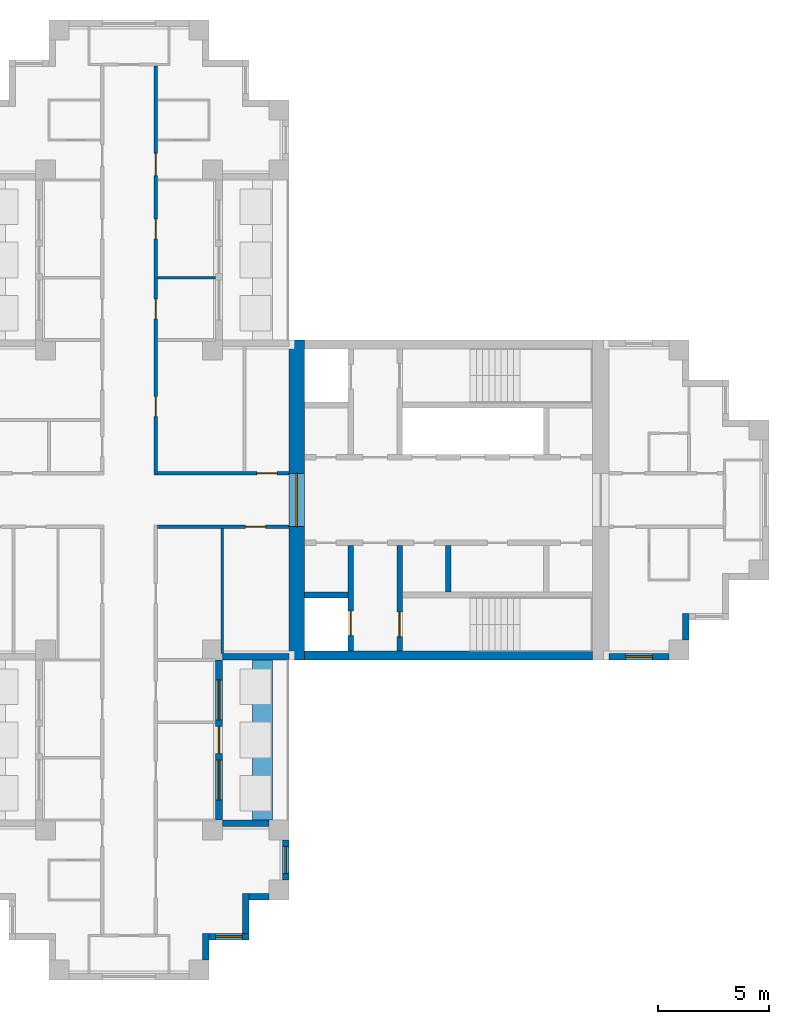
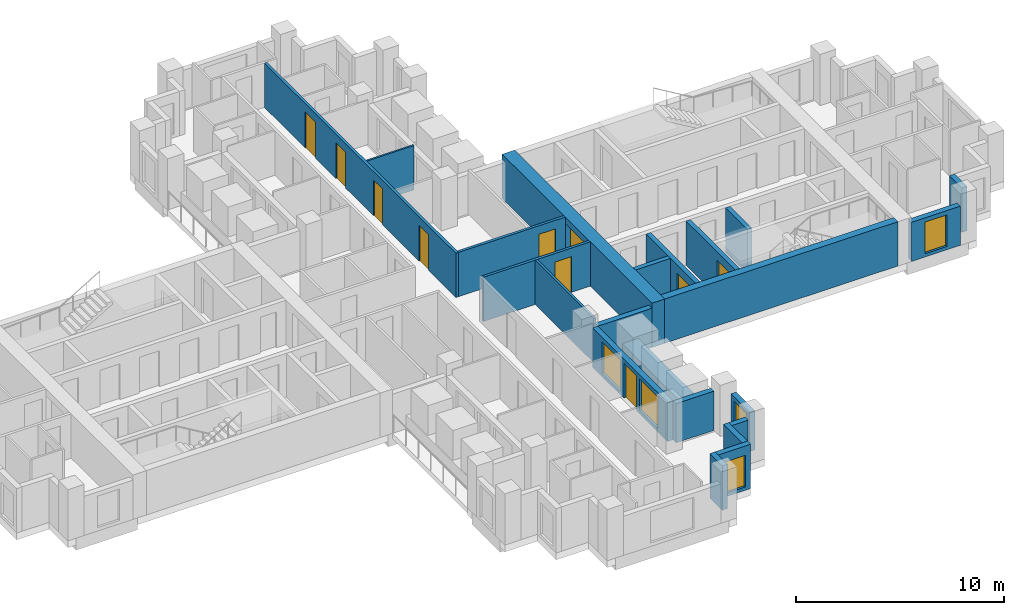
# One storey, part 5 of 10: 22 walls, 10 doors, 5 windows, 15 openings.
"""IFC4 building model written with IfcOpenShell, lengths in metres."""

from ifc_helpers import new_model, si_unit, direction, frame, frame_2d, origin, place, context, subcontext, project, spatial, rectangle, extrude, material, layer, layer_set, type_object, element, fill, save


model = new_model("IFC4")

# Units and contexts
model_context = context("Model", 3, precision=1e-05, world=origin(), true_north=direction((0.0, 1.0)))
body_context = subcontext(model_context, "Body", "Model", "MODEL_VIEW")
ifc_project = project(units=[si_unit("LENGTHUNIT", "METRE"), si_unit("AREAUNIT", "SQUARE_METRE"), si_unit("VOLUMEUNIT", "CUBIC_METRE"), si_unit("PLANEANGLEUNIT", "RADIAN"), si_unit("MASSUNIT", "GRAM", prefix="KILO")], contexts=[model_context])

# Site, building, storey
site_placement = place(None, origin())
site = spatial("IfcSite", under=ifc_project, at=site_placement, CompositionType="ELEMENT")
building_placement = place(site_placement, origin())
building = spatial("IfcBuilding", under=site, at=building_placement, Name="Fustian Cross Tower", CompositionType="ELEMENT")
storey_placement = place(building_placement, frame((0.0, 0.0, 231.89990234375)))
storey = spatial("IfcBuildingStorey", under=building, at=storey_placement, Name="L73", CompositionType="ELEMENT", Elevation=231.89990234375)

# Wall, opening, door
ifc_material_1 = material(Name="Plasterboard on steel stud", Category="steel")
ifc_layer_1 = layer(ifc_material_1, 0.14990234375)
ifc_layer_set_1 = layer_set([ifc_layer_1], Name="Plasterboard on steel stud")
wall_type_1 = type_object("IfcWallType", Name="COMPARTMENT WALL 150 EI 60", PredefinedType="PARTITIONING", material=ifc_layer_set_1)
wall_1_placement = place(storey_placement, frame((1.27490234375, -1.199951171875, 0.0), z_axis=(0.0, 0.0, 1.0), x_axis=(1.0, 0.0, 0.0)))
wall_1 = element("IfcWall", 1, at=wall_1_placement, inside=storey, type_object=wall_type_1, Name="Partition 47", PredefinedType="PARTITIONING", context=body_context, shape_type="SweptSolid", body=[
    extrude(rectangle(XDim=5.925048828125, YDim=0.14990234375, at=frame_2d((2.96240234375, 0.0))), origin(), (0.0, 0.0, 1.0), 2.60009765625),
])
opening_1_placement = place(wall_1_placement, frame((3.97509765625, 0.0, 0.0)))
opening_1 = element("IfcOpeningElement", 2, at=opening_1_placement, cuts=wall_1, Name="Opening D33007", PredefinedType="OPENING", context=body_context, shape_type="SweptSolid", body=[
    extrude(rectangle(XDim=0.89990234375, YDim=2.10009765625, at=frame_2d((0.449951171875, 1.050048828125))), frame((0.0, 0.0849609375, 0.0), z_axis=(0.0, -1.0, 0.0), x_axis=(1.0, 0.0, 0.0)), (0.0, 0.0, 1.0), 0.169921875),
])
ifc_material_2 = material(Name="Timber fire door set", Category="wood")
door_type_1 = type_object("IfcDoorType", Name="FIRE SWING DOOR 900 FD30S", OperationType="SINGLE_SWING_LEFT", PredefinedType="DOOR", material=ifc_material_2)
door_1_placement = place(opening_1_placement, frame((0.89990234375, 0.0, 0.0), z_axis=(0.0, 0.0, 1.0), x_axis=(-1.0, 0.0, 0.0)))
door_1 = element("IfcDoor", 3, at=door_1_placement, inside=storey, type_object=door_type_1, Name="Door D33007", OperationType="SINGLE_SWING_LEFT", OverallHeight=2.10009765625, OverallWidth=0.89990234375, PredefinedType="DOOR", context=body_context, shape_type="SweptSolid", body=[
    extrude(rectangle(XDim=0.89990234375, YDim=2.10009765625, at=frame_2d((0.449951171875, 1.050048828125))), frame((0.0, 0.02490234375, 0.0), z_axis=(0.0, -1.0, 0.0), x_axis=(1.0, 0.0, 0.0)), (0.0, 0.0, 1.0), 0.050048828125),
])
fill(opening_1, door_1)

# Wall, openings, doors
wall_2_placement = place(storey_placement, frame((1.199951171875, 1.125, 0.0), z_axis=(0.0, 0.0, 1.0), x_axis=(0.0, 1.0, 0.0)))
wall_2 = element("IfcWall", 4, at=wall_2_placement, inside=storey, type_object=wall_type_1, Name="Partition 48", PredefinedType="PARTITIONING", context=body_context, shape_type="SweptSolid", body=[
    extrude(rectangle(XDim=18.39990234375, YDim=0.14990234375, at=frame_2d((9.199951171875, 0.0))), origin(), (0.0, 0.0, 1.0), 2.60009765625),
])
opening_2_placement = place(wall_2_placement, frame((2.625, 0.0, 0.0)))
opening_2 = element("IfcOpeningElement", 5, at=opening_2_placement, cuts=wall_2, Name="Opening D33001", PredefinedType="OPENING", context=body_context, shape_type="SweptSolid", body=[
    extrude(rectangle(XDim=0.89990234375, YDim=2.10009765625, at=frame_2d((0.449951171875, 1.050048828125))), frame((0.0, 0.0849609375, 0.0), z_axis=(0.0, -1.0, 0.0), x_axis=(1.0, 0.0, 0.0)), (0.0, 0.0, 1.0), 0.169921875),
])
opening_3_placement = place(wall_2_placement, frame((7.02490234375, 0.0, 0.0)))
opening_3 = element("IfcOpeningElement", 6, at=opening_3_placement, cuts=wall_2, Name="Opening D33022", PredefinedType="OPENING", context=body_context, shape_type="SweptSolid", body=[
    extrude(rectangle(XDim=0.89990234375, YDim=2.10009765625, at=frame_2d((0.449951171875, 1.050048828125))), frame((0.0, 0.0849609375, 0.0), z_axis=(0.0, -1.0, 0.0), x_axis=(1.0, 0.0, 0.0)), (0.0, 0.0, 1.0), 0.169921875),
])
opening_4_placement = place(wall_2_placement, frame((10.625, 0.0, 0.0)))
opening_4 = element("IfcOpeningElement", 7, at=opening_4_placement, cuts=wall_2, Name="Opening D33023", PredefinedType="OPENING", context=body_context, shape_type="SweptSolid", body=[
    extrude(rectangle(XDim=0.89990234375, YDim=2.10009765625, at=frame_2d((0.449951171875, 1.050048828125))), frame((0.0, 0.0849609375, 0.0), z_axis=(0.0, -1.0, 0.0), x_axis=(1.0, 0.0, 0.0)), (0.0, 0.0, 1.0), 0.169921875),
])
opening_5_placement = place(wall_2_placement, frame((13.47509765625, 0.0, 0.0)))
opening_5 = element("IfcOpeningElement", 8, at=opening_5_placement, cuts=wall_2, Name="Opening D33025", PredefinedType="OPENING", context=body_context, shape_type="SweptSolid", body=[
    extrude(rectangle(XDim=1.0, YDim=2.10009765625, at=frame_2d((0.5, 1.050048828125))), frame((0.0, 0.0849609375, 0.0), z_axis=(0.0, -1.0, 0.0), x_axis=(1.0, 0.0, 0.0)), (0.0, 0.0, 1.0), 0.169921875),
])
ifc_material_3 = material(Name="Timber fire door set", Category="wood")
door_type_2 = type_object("IfcDoorType", Name="FIRE SWING DOOR 1000 FD30S", OperationType="SINGLE_SWING_LEFT", PredefinedType="DOOR", material=ifc_material_3)
door_2_placement = place(opening_5_placement, frame((1.0, 0.0, 0.0), z_axis=(0.0, 0.0, 1.0), x_axis=(-1.0, 0.0, 0.0)))
door_2 = element("IfcDoor", 9, at=door_2_placement, inside=storey, type_object=door_type_2, Name="Door D33025", OperationType="SINGLE_SWING_RIGHT", OverallHeight=2.10009765625, OverallWidth=1.0, PredefinedType="DOOR", context=body_context, shape_type="SweptSolid", body=[
    extrude(rectangle(XDim=1.0, YDim=2.10009765625, at=frame_2d((0.5, 1.050048828125))), frame((0.0, 0.02490234375, 0.0), z_axis=(0.0, -1.0, 0.0), x_axis=(1.0, 0.0, 0.0)), (0.0, 0.0, 1.0), 0.050048828125),
])
fill(opening_5, door_2)
door_3_placement = place(opening_2_placement, frame((0.89990234375, 0.0, 0.0), z_axis=(0.0, 0.0, 1.0), x_axis=(-1.0, 0.0, 0.0)))
door_3 = element("IfcDoor", 10, at=door_3_placement, inside=storey, type_object=door_type_1, Name="Door D33001", OperationType="SINGLE_SWING_RIGHT", OverallHeight=2.10009765625, OverallWidth=0.89990234375, PredefinedType="DOOR", context=body_context, shape_type="SweptSolid", body=[
    extrude(rectangle(XDim=0.89990234375, YDim=2.10009765625, at=frame_2d((0.449951171875, 1.050048828125))), frame((0.0, 0.02490234375, 0.0), z_axis=(0.0, -1.0, 0.0), x_axis=(1.0, 0.0, 0.0)), (0.0, 0.0, 1.0), 0.050048828125),
])
fill(opening_2, door_3)
door_4_placement = place(opening_3_placement, frame((0.89990234375, 0.0, 0.0), z_axis=(0.0, 0.0, 1.0), x_axis=(-1.0, 0.0, 0.0)))
door_4 = element("IfcDoor", 11, at=door_4_placement, inside=storey, type_object=door_type_1, Name="Door D33022", OperationType="SINGLE_SWING_RIGHT", OverallHeight=2.10009765625, OverallWidth=0.89990234375, PredefinedType="DOOR", context=body_context, shape_type="SweptSolid", body=[
    extrude(rectangle(XDim=0.89990234375, YDim=2.10009765625, at=frame_2d((0.449951171875, 1.050048828125))), frame((0.0, 0.02490234375, 0.0), z_axis=(0.0, -1.0, 0.0), x_axis=(1.0, 0.0, 0.0)), (0.0, 0.0, 1.0), 0.050048828125),
])
fill(opening_3, door_4)
door_5_placement = place(opening_4_placement, frame((0.89990234375, 0.0, 0.0), z_axis=(0.0, 0.0, 1.0), x_axis=(-1.0, 0.0, 0.0)))
door_5 = element("IfcDoor", 12, at=door_5_placement, inside=storey, type_object=door_type_1, Name="Door D33023", OperationType="SINGLE_SWING_RIGHT", OverallHeight=2.10009765625, OverallWidth=0.89990234375, PredefinedType="DOOR", context=body_context, shape_type="SweptSolid", body=[
    extrude(rectangle(XDim=0.89990234375, YDim=2.10009765625, at=frame_2d((0.449951171875, 1.050048828125))), frame((0.0, 0.02490234375, 0.0), z_axis=(0.0, -1.0, 0.0), x_axis=(1.0, 0.0, 0.0)), (0.0, 0.0, 1.0), 0.050048828125),
])
fill(opening_4, door_5)

# Wall, opening, door
wall_3_placement = place(storey_placement, frame((1.27490234375, 1.199951171875, 0.0), z_axis=(0.0, 0.0, 1.0), x_axis=(1.0, 0.0, 0.0)))
wall_3 = element("IfcWall", 13, at=wall_3_placement, inside=storey, type_object=wall_type_1, Name="Partition 49", PredefinedType="PARTITIONING", context=body_context, shape_type="SweptSolid", body=[
    extrude(rectangle(XDim=5.925048828125, YDim=0.14990234375, at=frame_2d((2.96240234375, 0.0))), origin(), (0.0, 0.0, 1.0), 2.60009765625),
])
opening_6_placement = place(wall_3_placement, frame((4.47509765625, 0.0, 0.0)))
opening_6 = element("IfcOpeningElement", 14, at=opening_6_placement, cuts=wall_3, Name="Opening D33002", PredefinedType="OPENING", context=body_context, shape_type="SweptSolid", body=[
    extrude(rectangle(XDim=0.89990234375, YDim=2.10009765625, at=frame_2d((0.449951171875, 1.050048828125))), frame((0.0, 0.0849609375, 0.0), z_axis=(0.0, -1.0, 0.0), x_axis=(1.0, 0.0, 0.0)), (0.0, 0.0, 1.0), 0.169921875),
])
door_6_placement = place(opening_6_placement, origin())
door_6 = element("IfcDoor", 15, at=door_6_placement, inside=storey, type_object=door_type_1, Name="Door D33002", OperationType="SINGLE_SWING_LEFT", OverallHeight=2.10009765625, OverallWidth=0.89990234375, PredefinedType="DOOR", context=body_context, shape_type="SweptSolid", body=[
    extrude(rectangle(XDim=0.89990234375, YDim=2.10009765625, at=frame_2d((0.449951171875, 1.050048828125))), frame((0.0, 0.02490234375, 0.0), z_axis=(0.0, -1.0, 0.0), x_axis=(1.0, 0.0, 0.0)), (0.0, 0.0, 1.0), 0.050048828125),
])
fill(opening_6, door_6)

ifc_material_4 = material(Name="Concrete C50/60", Category="concrete")
ifc_layer_2 = layer(ifc_material_4, 0.699951171875)
ifc_layer_set_2 = layer_set([ifc_layer_2], Name="Concrete C50/60")
wall_type_2 = type_object("IfcWallType", Name="CORE END WALL 700 C50/60", PredefinedType="SHEAR", material=ifc_layer_set_2)
wall_4_placement = place(storey_placement, frame((7.550048828125, -7.199951171875, 0.0), z_axis=(0.0, 0.0, 1.0), x_axis=(0.0, 1.0, 0.0)))
wall_4 = element("IfcWall", 16, at=wall_4_placement, inside=storey, type_object=wall_type_2, Name="Core end wall", PredefinedType="SHEAR", context=body_context, shape_type="SweptSolid", body=[
    extrude(rectangle(XDim=14.39990234375, YDim=0.699951171875, at=frame_2d((7.199951171875, 0.0))), origin(), (0.0, 0.0, 1.0), 2.60009765625),
])
opening_7_placement = place(wall_4_placement, frame((6.0, 0.0, 0.0)))
opening_7 = element("IfcOpeningElement", 17, at=opening_7_placement, cuts=wall_4, Name="Opening CD-28-12", PredefinedType="OPENING", context=body_context, shape_type="SweptSolid", body=[
    extrude(rectangle(XDim=2.39990234375, YDim=2.199951171875, at=frame_2d((1.199951171875, 1.10009765625))), frame((0.0, 0.35986328125, 0.0), z_axis=(0.0, -1.0, 0.0), x_axis=(1.0, 0.0, 0.0)), (0.0, 0.0, 1.0), 0.719970703125),
])
ifc_material_5 = material(Name="Steel", Category="steel")
door_type_3 = type_object("IfcDoorType", Name="FIRE DOOR FD30S DOUBLE 2400X2200", OperationType="DOUBLE_DOOR_DOUBLE_SWING", PredefinedType="DOOR", material=ifc_material_5)
door_7_placement = place(opening_7_placement, frame((2.39990234375, 0.0, 0.0), z_axis=(0.0, 0.0, 1.0), x_axis=(-1.0, 0.0, 0.0)))
door_7 = element("IfcDoor", 18, at=door_7_placement, inside=storey, type_object=door_type_3, Name="Core door CD-28-12", OperationType="DOUBLE_DOOR_DOUBLE_SWING", OverallHeight=2.199951171875, OverallWidth=2.39990234375, PredefinedType="DOOR", context=body_context, shape_type="SweptSolid", body=[
    extrude(rectangle(XDim=2.39990234375, YDim=2.199951171875, at=frame_2d((1.199951171875, 1.10009765625))), frame((0.0, 0.02490234375, 0.0), z_axis=(0.0, -1.0, 0.0), x_axis=(1.0, 0.0, 0.0)), (0.0, 0.0, 1.0), 0.050048828125),
])
fill(opening_7, door_7)

# Walls
ifc_material_6 = material(Name="Concrete C50/60", Category="concrete")
ifc_layer_3 = layer(ifc_material_6, 0.39990234375)
ifc_layer_set_3 = layer_set([ifc_layer_3], Name="Concrete C50/60")
wall_type_3 = type_object("IfcWallType", Name="CORE FACADE WALL 400 C50/60", PredefinedType="SHEAR", material=ifc_layer_set_3)
wall_5_placement = place(storey_placement, frame((7.89990234375, -7.0, 0.0), z_axis=(0.0, 0.0, 1.0), x_axis=(1.0, 0.0, 0.0)))
element("IfcWall", 19, at=wall_5_placement, inside=storey, type_object=wall_type_3, Name="Core facade wall", PredefinedType="SHEAR", context=body_context, shape_type="SweptSolid", body=[
    extrude(rectangle(XDim=12.9501953125, YDim=0.39990234375, at=frame_2d((6.47509765625, 0.0))), origin(), (0.0, 0.0, 1.0), 2.60009765625),
])
ifc_material_7 = material(Name="Concrete C50/60", Category="concrete")
ifc_layer_4 = layer(ifc_material_7, 0.25)
ifc_layer_set_4 = layer_set([ifc_layer_4], Name="Concrete C50/60")
wall_type_4 = type_object("IfcWallType", Name="CORE SHAFT WALL 250 C50/60", PredefinedType="SHEAR", material=ifc_layer_set_4)
wall_6_placement = place(storey_placement, frame((7.89990234375, -4.27490234375, 0.0), z_axis=(0.0, 0.0, 1.0), x_axis=(1.0, 0.0, 0.0)))
element("IfcWall", 20, at=wall_6_placement, inside=storey, type_object=wall_type_4, Name="Core shaft wall", PredefinedType="SHEAR", context=body_context, shape_type="SweptSolid", body=[
    extrude(rectangle(XDim=1.9501953125, YDim=0.25, at=frame_2d((0.97509765625, 0.0))), origin(), (0.0, 0.0, 1.0), 2.60009765625),
])

# Wall, opening, door
wall_7_placement = place(storey_placement, frame((9.97509765625, -2.050048828125, 0.0), z_axis=(0.0, 0.0, 1.0), x_axis=(0.0, -1.0, 0.0)))
wall_7 = element("IfcWall", 21, at=wall_7_placement, inside=storey, type_object=wall_type_4, Name="Core shaft wall", PredefinedType="SHEAR", context=body_context, shape_type="SweptSolid", body=[
    extrude(rectangle(XDim=4.75, YDim=0.25, at=frame_2d((2.375, 0.0))), origin(), (0.0, 0.0, 1.0), 2.60009765625),
])
opening_8_placement = place(wall_7_placement, frame((2.949951171875, 0.0, 0.0)))
opening_8 = element("IfcOpeningElement", 22, at=opening_8_placement, cuts=wall_7, Name="Opening LD", PredefinedType="OPENING", context=body_context, shape_type="SweptSolid", body=[
    extrude(rectangle(XDim=1.10009765625, YDim=2.10009765625, at=frame_2d((0.550048828125, 1.050048828125))), frame((0.0, 0.135009765625, 0.0), z_axis=(0.0, -1.0, 0.0), x_axis=(1.0, 0.0, 0.0)), (0.0, 0.0, 1.0), 0.27001953125),
])
ifc_material_8 = material(Name="Stainless steel", Category="steel")
door_type_4 = type_object("IfcDoorType", Name="LIFT LANDING DOOR 1100X2100", OperationType="SLIDING_TO_LEFT", PredefinedType="DOOR", material=ifc_material_8)
door_8_placement = place(opening_8_placement, origin())
door_8 = element("IfcDoor", 23, at=door_8_placement, inside=storey, type_object=door_type_4, Name="Landing door SV1", OperationType="SLIDING_TO_LEFT", OverallHeight=2.10009765625, OverallWidth=1.10009765625, PredefinedType="DOOR", context=body_context, shape_type="SweptSolid", body=[
    extrude(rectangle(XDim=1.10009765625, YDim=2.10009765625, at=frame_2d((0.550048828125, 1.050048828125))), frame((0.0, 0.02490234375, 0.0), z_axis=(0.0, -1.0, 0.0), x_axis=(1.0, 0.0, 0.0)), (0.0, 0.0, 1.0), 0.050048828125),
])
fill(opening_8, door_8)

wall_8_placement = place(storey_placement, frame((12.175048828125, -2.050048828125, 0.0), z_axis=(0.0, 0.0, 1.0), x_axis=(0.0, -1.0, 0.0)))
wall_8 = element("IfcWall", 24, at=wall_8_placement, inside=storey, type_object=wall_type_4, Name="Core shaft wall", PredefinedType="SHEAR", context=body_context, shape_type="SweptSolid", body=[
    extrude(rectangle(XDim=4.75, YDim=0.25, at=frame_2d((2.375, 0.0))), origin(), (0.0, 0.0, 1.0), 2.60009765625),
])
opening_9_placement = place(wall_8_placement, frame((3.0, 0.0, 0.0)))
opening_9 = element("IfcOpeningElement", 25, at=opening_9_placement, cuts=wall_8, Name="Opening CD-28-07", PredefinedType="OPENING", context=body_context, shape_type="SweptSolid", body=[
    extrude(rectangle(XDim=1.10009765625, YDim=2.10009765625, at=frame_2d((0.550048828125, 1.050048828125))), frame((0.0, 0.135009765625, 0.0), z_axis=(0.0, -1.0, 0.0), x_axis=(1.0, 0.0, 0.0)), (0.0, 0.0, 1.0), 0.27001953125),
])
ifc_material_9 = material(Name="Steel", Category="steel")
door_type_5 = type_object("IfcDoorType", Name="FIRE DOOR FD60S 1100X2100", OperationType="SINGLE_SWING_LEFT", PredefinedType="DOOR", material=ifc_material_9)
door_9_placement = place(opening_9_placement, origin())
door_9 = element("IfcDoor", 26, at=door_9_placement, inside=storey, type_object=door_type_5, Name="Core door CD-28-07", OperationType="SINGLE_SWING_LEFT", OverallHeight=2.10009765625, OverallWidth=1.10009765625, PredefinedType="DOOR", context=body_context, shape_type="SweptSolid", body=[
    extrude(rectangle(XDim=1.10009765625, YDim=2.10009765625, at=frame_2d((0.550048828125, 1.050048828125))), frame((0.0, 0.02490234375, 0.0), z_axis=(0.0, -1.0, 0.0), x_axis=(1.0, 0.0, 0.0)), (0.0, 0.0, 1.0), 0.050048828125),
])
fill(opening_9, door_9)

# Walls
ifc_material_10 = material(Name="Plasterboard on steel stud", Category="steel")
ifc_layer_5 = layer(ifc_material_10, 0.10009765625)
ifc_layer_set_5 = layer_set([ifc_layer_5], Name="Plasterboard on steel stud")
wall_type_5 = type_object("IfcWallType", Name="PARTITION 100 STUD", PredefinedType="PARTITIONING", material=ifc_layer_set_5)
wall_9_placement = place(storey_placement, frame((1.27490234375, 10.0, 0.0), z_axis=(0.0, 0.0, 1.0), x_axis=(1.0, 0.0, 0.0)))
element("IfcWall", 27, at=wall_9_placement, inside=storey, type_object=wall_type_5, Name="Partition 51", PredefinedType="PARTITIONING", context=body_context, shape_type="SweptSolid", body=[
    extrude(rectangle(XDim=2.625, YDim=0.10009765625, at=frame_2d((1.3125, 0.0))), origin(), (0.0, 0.0, 1.0), 2.60009765625),
])
ifc_material_11 = material(Name="Concrete C40/50", Category="concrete")
ifc_layer_6 = layer(ifc_material_11, 0.89990234375)
ifc_layer_set_6 = layer_set([ifc_layer_6], Name="Concrete C40/50")
wall_type_6 = type_object("IfcWallType", Name="PK1 PLANTER 900", PredefinedType="PARAPET", material=ifc_layer_set_6)
wall_10_placement = place(storey_placement, frame((6.0, -14.39990234375, 0.0), z_axis=(0.0, 0.0, 1.0), x_axis=(0.0, 1.0, 0.0)))
element("IfcWall", 28, at=wall_10_placement, inside=storey, type_object=wall_type_6, Name="PLANTER", PredefinedType="PARAPET", context=body_context, shape_type="SweptSolid", body=[
    extrude(rectangle(XDim=7.199951171875, YDim=0.89990234375, at=frame_2d((3.60009765625, 0.0))), origin(), (0.0, 0.0, 1.0), 0.800048828125),
])
ifc_material_12 = material(Name="Concrete C40/50", Category="concrete")
ifc_layer_7 = layer(ifc_material_12, 0.25)
ifc_layer_set_7 = layer_set([ifc_layer_7], Name="Concrete C40/50")
wall_type_7 = type_object("IfcWallType", Name="SHAFT PARTITION WALL 250 C40/50", PredefinedType="PARTITIONING", material=ifc_layer_set_7)
wall_11_placement = place(storey_placement, frame((14.375, -2.050048828125, 0.0), z_axis=(0.0, 0.0, 1.0), x_axis=(0.0, -1.0, 0.0)))
element("IfcWall", 29, at=wall_11_placement, inside=storey, type_object=wall_type_7, Name="Core shaft wall", PredefinedType="PARTITIONING", context=body_context, shape_type="SweptSolid", body=[
    extrude(rectangle(XDim=2.099853515625, YDim=0.25, at=frame_2d((1.0498046875, 0.0))), origin(), (0.0, 0.0, 1.0), 2.60009765625),
])
ifc_material_13 = material(Name="Plasterboard on steel stud", Category="steel")
ifc_layer_8 = layer(ifc_material_13, 0.125)
ifc_layer_set_8 = layer_set([ifc_layer_8], Name="Plasterboard on steel stud")
wall_type_8 = type_object("IfcWallType", Name="WET WALL 125 STUD", PredefinedType="PARTITIONING", material=ifc_layer_set_8)
wall_12_placement = place(storey_placement, frame((4.199951171875, -6.89990234375, 0.0), z_axis=(0.0, 0.0, 1.0), x_axis=(0.0, 1.0, 0.0)))
element("IfcWall", 30, at=wall_12_placement, inside=storey, type_object=wall_type_8, Name="Partition 59", PredefinedType="PARTITIONING", context=body_context, shape_type="SweptSolid", body=[
    extrude(rectangle(XDim=5.625, YDim=0.125, at=frame_2d((2.8125, 0.0))), origin(), (0.0, 0.0, 1.0), 2.60009765625),
])

# Wall, opening, window
ifc_material_14 = material(Name="Dark aluminium cladding on insulated backing wall", Category="aluminium")
ifc_layer_9 = layer(ifc_material_14, 0.300048828125)
ifc_layer_set_9 = layer_set([ifc_layer_9], Name="Dark aluminium cladding on insulated backing wall")
wall_type_9 = type_object("IfcWallType", Name="XW1 EXTERNAL WALL 300", PredefinedType="SOLIDWALL", material=ifc_layer_set_9)
wall_13_placement = place(storey_placement, frame((21.60009765625, -7.050048828125, 0.0), z_axis=(0.0, 0.0, 1.0), x_axis=(1.0, 0.0, 0.0)))
wall_13 = element("IfcWall", 31, at=wall_13_placement, inside=storey, type_object=wall_type_9, Name="External wall", PredefinedType="SOLIDWALL", context=body_context, shape_type="SweptSolid", body=[
    extrude(rectangle(XDim=2.699951171875, YDim=0.300048828125, at=frame_2d((1.35009765625, 0.0))), origin(), (0.0, 0.0, 1.0), 2.300048828125),
])
opening_10_placement = place(wall_13_placement, frame((0.75, 0.0, 0.199951171875)))
opening_10 = element("IfcOpeningElement", 32, at=opening_10_placement, cuts=wall_13, Name="Opening WN3", PredefinedType="OPENING", context=body_context, shape_type="SweptSolid", body=[
    extrude(rectangle(XDim=1.199951171875, YDim=1.85009765625, at=frame_2d((0.60009765625, 0.925048828125))), frame((0.0, 0.159912109375, 0.0), z_axis=(0.0, -1.0, 0.0), x_axis=(1.0, 0.0, 0.0)), (0.0, 0.0, 1.0), 0.320068359375),
])
ifc_material_15 = material(Name="Dark anodised aluminium and double glazing", Category="aluminium")
window_type_1 = type_object("IfcWindowType", Name="WN3 WINDOW 1200X1850", PartitioningType="SINGLE_PANEL", PredefinedType="WINDOW", material=ifc_material_15)
window_1_placement = place(opening_10_placement, origin())
window_1 = element("IfcWindow", 33, at=window_1_placement, inside=storey, type_object=window_type_1, Name="Window", OverallHeight=1.85009765625, OverallWidth=1.199951171875, PartitioningType="SINGLE_PANEL", PredefinedType="WINDOW", context=body_context, shape_type="SweptSolid", body=[
    extrude(rectangle(XDim=1.199951171875, YDim=1.85009765625, at=frame_2d((0.60009765625, 0.925048828125))), frame((0.0, 0.030029296875, 0.0), z_axis=(0.0, -1.0, 0.0), x_axis=(1.0, 0.0, 0.0)), (0.0, 0.0, 1.0), 0.06005859375),
])
fill(opening_10, window_1)

# Walls
for number, where, z_axis, x_axis, name in (
    (34, (25.050048828125, -6.300048828125, 0.0), (0.0, 0.0, 1.0), (0.0, 1.0, 0.0), "External wall"),
    (35, (3.449951171875, -20.699951171875, 0.0), (0.0, 0.0, 1.0), (0.0, 1.0, 0.0), "External wall"),
):
    element("IfcWall", number, at=place(storey_placement, frame(where, z_axis=z_axis, x_axis=x_axis)), inside=storey, type_object=wall_type_9, Name=name, PredefinedType="SOLIDWALL", context=body_context, shape_type="SweptSolid", body=[
        extrude(rectangle(XDim=1.199951171875, YDim=0.300048828125, at=frame_2d((0.60009765625, 0.0))), origin(), (0.0, 0.0, 1.0), 2.60009765625),
    ])

# Wall, opening, window
wall_14_placement = place(storey_placement, frame((3.60009765625, -19.64990234375, 0.0), z_axis=(0.0, 0.0, 1.0), x_axis=(1.0, 0.0, 0.0)))
wall_14 = element("IfcWall", 36, at=wall_14_placement, inside=storey, type_object=wall_type_9, Name="External wall", PredefinedType="SOLIDWALL", context=body_context, shape_type="SweptSolid", body=[
    extrude(rectangle(XDim=1.7998046875, YDim=0.300048828125, at=frame_2d((0.89990234375, 0.0))), origin(), (0.0, 0.0, 1.0), 2.60009765625),
])
opening_11_placement = place(wall_14_placement, frame((0.300048828125, 0.0, 0.199951171875)))
opening_11 = element("IfcOpeningElement", 37, at=opening_11_placement, cuts=wall_14, Name="Opening WN3", PredefinedType="OPENING", context=body_context, shape_type="SweptSolid", body=[
    extrude(rectangle(XDim=1.199951171875, YDim=1.85009765625, at=frame_2d((0.60009765625, 0.925048828125))), frame((0.0, 0.159912109375, 0.0), z_axis=(0.0, -1.0, 0.0), x_axis=(1.0, 0.0, 0.0)), (0.0, 0.0, 1.0), 0.320068359375),
])
window_2_placement = place(opening_11_placement, origin())
window_2 = element("IfcWindow", 38, at=window_2_placement, inside=storey, type_object=window_type_1, Name="Window", OverallHeight=1.85009765625, OverallWidth=1.199951171875, PartitioningType="SINGLE_PANEL", PredefinedType="WINDOW", context=body_context, shape_type="SweptSolid", body=[
    extrude(rectangle(XDim=1.199951171875, YDim=1.85009765625, at=frame_2d((0.60009765625, 0.925048828125))), frame((0.0, 0.030029296875, 0.0), z_axis=(0.0, -1.0, 0.0), x_axis=(1.0, 0.0, 0.0)), (0.0, 0.0, 1.0), 0.06005859375),
])
fill(opening_11, window_2)

# Walls
wall_15_placement = place(storey_placement, frame((5.25, -19.5, 0.0), z_axis=(0.0, 0.0, 1.0), x_axis=(0.0, 1.0, 0.0)))
element("IfcWall", 39, at=wall_15_placement, inside=storey, type_object=wall_type_9, Name="External wall", PredefinedType="SOLIDWALL", context=body_context, shape_type="SweptSolid", body=[
    extrude(rectangle(XDim=1.800048828125, YDim=0.300048828125, at=frame_2d((0.89990234375, 0.0))), origin(), (0.0, 0.0, 1.0), 2.60009765625),
])
wall_16_placement = place(storey_placement, frame((5.39990234375, -17.85009765625, 0.0), z_axis=(0.0, 0.0, 1.0), x_axis=(1.0, 0.0, 0.0)))
element("IfcWall", 40, at=wall_16_placement, inside=storey, type_object=wall_type_9, Name="External wall", PredefinedType="SOLIDWALL", context=body_context, shape_type="SweptSolid", body=[
    extrude(rectangle(XDim=0.900146484375, YDim=0.300048828125, at=frame_2d((0.4501953125, 0.0))), origin(), (0.0, 0.0, 1.0), 2.60009765625),
])

# Wall, opening, window
wall_17_placement = place(storey_placement, frame((7.050048828125, -17.10009765625, 0.0), z_axis=(0.0, 0.0, 1.0), x_axis=(0.0, 1.0, 0.0)))
wall_17 = element("IfcWall", 41, at=wall_17_placement, inside=storey, type_object=wall_type_9, Name="External wall", PredefinedType="SOLIDWALL", context=body_context, shape_type="SweptSolid", body=[
    extrude(rectangle(XDim=1.800048828125, YDim=0.300048828125, at=frame_2d((0.89990234375, 0.0))), origin(), (0.0, 0.0, 1.0), 2.300048828125),
])
opening_12_placement = place(wall_17_placement, frame((0.300048828125, 0.0, 0.199951171875)))
opening_12 = element("IfcOpeningElement", 42, at=opening_12_placement, cuts=wall_17, Name="Opening WN3", PredefinedType="OPENING", context=body_context, shape_type="SweptSolid", body=[
    extrude(rectangle(XDim=1.199951171875, YDim=1.85009765625, at=frame_2d((0.60009765625, 0.925048828125))), frame((0.0, 0.159912109375, 0.0), z_axis=(0.0, -1.0, 0.0), x_axis=(1.0, 0.0, 0.0)), (0.0, 0.0, 1.0), 0.320068359375),
])
window_3_placement = place(opening_12_placement, origin())
window_3 = element("IfcWindow", 43, at=window_3_placement, inside=storey, type_object=window_type_1, Name="Window", OverallHeight=1.85009765625, OverallWidth=1.199951171875, PartitioningType="SINGLE_PANEL", PredefinedType="WINDOW", context=body_context, shape_type="SweptSolid", body=[
    extrude(rectangle(XDim=1.199951171875, YDim=1.85009765625, at=frame_2d((0.60009765625, 0.925048828125))), frame((0.0, 0.030029296875, 0.0), z_axis=(0.0, -1.0, 0.0), x_axis=(1.0, 0.0, 0.0)), (0.0, 0.0, 1.0), 0.06005859375),
])
fill(opening_12, window_3)

# Wall
wall_18_placement = place(storey_placement, frame((6.300048828125, -14.550048828125, 0.0), z_axis=(0.0, 0.0, 1.0), x_axis=(-1.0, 0.0, 0.0)))
element("IfcWall", 44, at=wall_18_placement, inside=storey, type_object=wall_type_9, Name="External wall", PredefinedType="SOLIDWALL", context=body_context, shape_type="SweptSolid", body=[
    extrude(rectangle(XDim=2.10009765625, YDim=0.300048828125, at=frame_2d((1.050048828125, 0.0))), origin(), (0.0, 0.0, 1.0), 2.300048828125),
])

# Wall, openings, door, windows
wall_19_placement = place(storey_placement, frame((4.050048828125, -14.39990234375, 0.0), z_axis=(0.0, 0.0, 1.0), x_axis=(0.0, 1.0, 0.0)))
wall_19 = element("IfcWall", 45, at=wall_19_placement, inside=storey, type_object=wall_type_9, Name="External wall", PredefinedType="SOLIDWALL", context=body_context, shape_type="SweptSolid", body=[
    extrude(rectangle(XDim=7.199951171875, YDim=0.300048828125, at=frame_2d((3.60009765625, 0.0))), origin(), (0.0, 0.0, 1.0), 2.300048828125),
])
opening_13_placement = place(wall_19_placement, frame((3.0, 0.0, 0.0)))
opening_13 = element("IfcOpeningElement", 46, at=opening_13_placement, cuts=wall_19, Name="Opening XD3", PredefinedType="OPENING", context=body_context, shape_type="SweptSolid", body=[
    extrude(rectangle(XDim=1.199951171875, YDim=2.050048828125, at=frame_2d((0.60009765625, 1.02490234375))), frame((0.0, 0.159912109375, 0.0), z_axis=(0.0, -1.0, 0.0), x_axis=(1.0, 0.0, 0.0)), (0.0, 0.0, 1.0), 0.320068359375),
])
opening_14_placement = place(wall_19_placement, frame((0.89990234375, 0.0, 0.199951171875)))
opening_14 = element("IfcOpeningElement", 47, at=opening_14_placement, cuts=wall_19, Name="Opening WN2", PredefinedType="OPENING", context=body_context, shape_type="SweptSolid", body=[
    extrude(rectangle(XDim=1.800048828125, YDim=1.85009765625, at=frame_2d((0.89990234375, 0.925048828125))), frame((0.0, 0.159912109375, 0.0), z_axis=(0.0, -1.0, 0.0), x_axis=(1.0, 0.0, 0.0)), (0.0, 0.0, 1.0), 0.320068359375),
])
opening_15_placement = place(wall_19_placement, frame((4.5, 0.0, 0.199951171875)))
opening_15 = element("IfcOpeningElement", 48, at=opening_15_placement, cuts=wall_19, Name="Opening WN2", PredefinedType="OPENING", context=body_context, shape_type="SweptSolid", body=[
    extrude(rectangle(XDim=1.800048828125, YDim=1.85009765625, at=frame_2d((0.89990234375, 0.925048828125))), frame((0.0, 0.159912109375, 0.0), z_axis=(0.0, -1.0, 0.0), x_axis=(1.0, 0.0, 0.0)), (0.0, 0.0, 1.0), 0.320068359375),
])
ifc_material_16 = material(Name="Dark anodised aluminium and double glazing", Category="aluminium")
door_type_6 = type_object("IfcDoorType", Name="ED1 BALCONY DOOR 1200X2050", OperationType="SINGLE_SWING_LEFT", PredefinedType="DOOR", material=ifc_material_16)
door_10_placement = place(opening_13_placement, origin())
door_10 = element("IfcDoor", 49, at=door_10_placement, inside=storey, type_object=door_type_6, Name="Balcony door", OperationType="SINGLE_SWING_LEFT", OverallHeight=2.050048828125, OverallWidth=1.199951171875, PredefinedType="DOOR", context=body_context, shape_type="SweptSolid", body=[
    extrude(rectangle(XDim=1.199951171875, YDim=2.050048828125, at=frame_2d((0.60009765625, 1.02490234375))), frame((0.0, 0.02490234375, 0.0), z_axis=(0.0, -1.0, 0.0), x_axis=(1.0, 0.0, 0.0)), (0.0, 0.0, 1.0), 0.050048828125),
])
fill(opening_13, door_10)
ifc_material_17 = material(Name="Dark anodised aluminium and double glazing", Category="aluminium")
window_type_2 = type_object("IfcWindowType", Name="WN2 WINDOW 1800X1850", PartitioningType="SINGLE_PANEL", PredefinedType="WINDOW", material=ifc_material_17)
window_4_placement = place(opening_14_placement, origin())
window_4 = element("IfcWindow", 50, at=window_4_placement, inside=storey, type_object=window_type_2, Name="Window", OverallHeight=1.85009765625, OverallWidth=1.800048828125, PartitioningType="SINGLE_PANEL", PredefinedType="WINDOW", context=body_context, shape_type="SweptSolid", body=[
    extrude(rectangle(XDim=1.800048828125, YDim=1.85009765625, at=frame_2d((0.89990234375, 0.925048828125))), frame((0.0, 0.030029296875, 0.0), z_axis=(0.0, -1.0, 0.0), x_axis=(1.0, 0.0, 0.0)), (0.0, 0.0, 1.0), 0.06005859375),
])
fill(opening_14, window_4)
window_5_placement = place(opening_15_placement, origin())
window_5 = element("IfcWindow", 51, at=window_5_placement, inside=storey, type_object=window_type_2, Name="Window", OverallHeight=1.85009765625, OverallWidth=1.800048828125, PartitioningType="SINGLE_PANEL", PredefinedType="WINDOW", context=body_context, shape_type="SweptSolid", body=[
    extrude(rectangle(XDim=1.800048828125, YDim=1.85009765625, at=frame_2d((0.89990234375, 0.925048828125))), frame((0.0, 0.030029296875, 0.0), z_axis=(0.0, -1.0, 0.0), x_axis=(1.0, 0.0, 0.0)), (0.0, 0.0, 1.0), 0.06005859375),
])
fill(opening_15, window_5)

# Wall
wall_20_placement = place(storey_placement, frame((4.199951171875, -7.050048828125, 0.0), z_axis=(0.0, 0.0, 1.0), x_axis=(1.0, 0.0, 0.0)))
element("IfcWall", 52, at=wall_20_placement, inside=storey, type_object=wall_type_9, Name="External wall", PredefinedType="SOLIDWALL", context=body_context, shape_type="SweptSolid", body=[
    extrude(rectangle(XDim=3.0, YDim=0.300048828125, at=frame_2d((1.5, 0.0))), origin(), (0.0, 0.0, 1.0), 2.300048828125),
])

save(model, "model.ifc")
